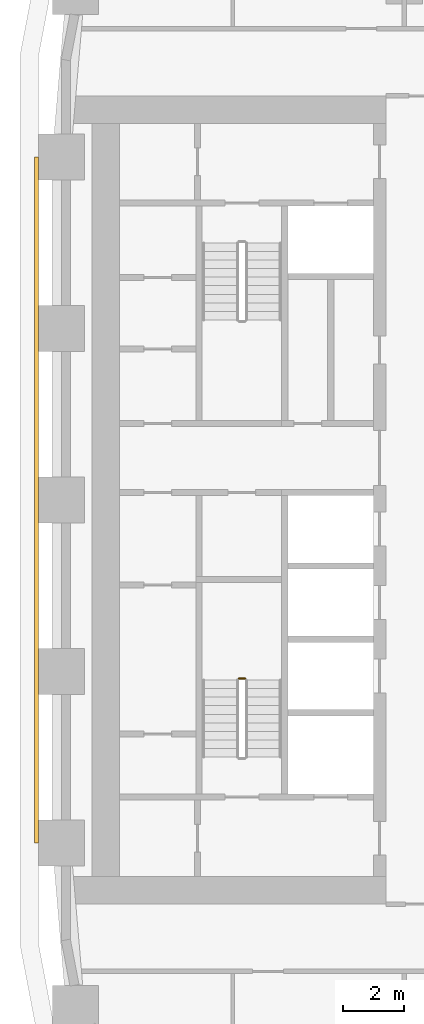
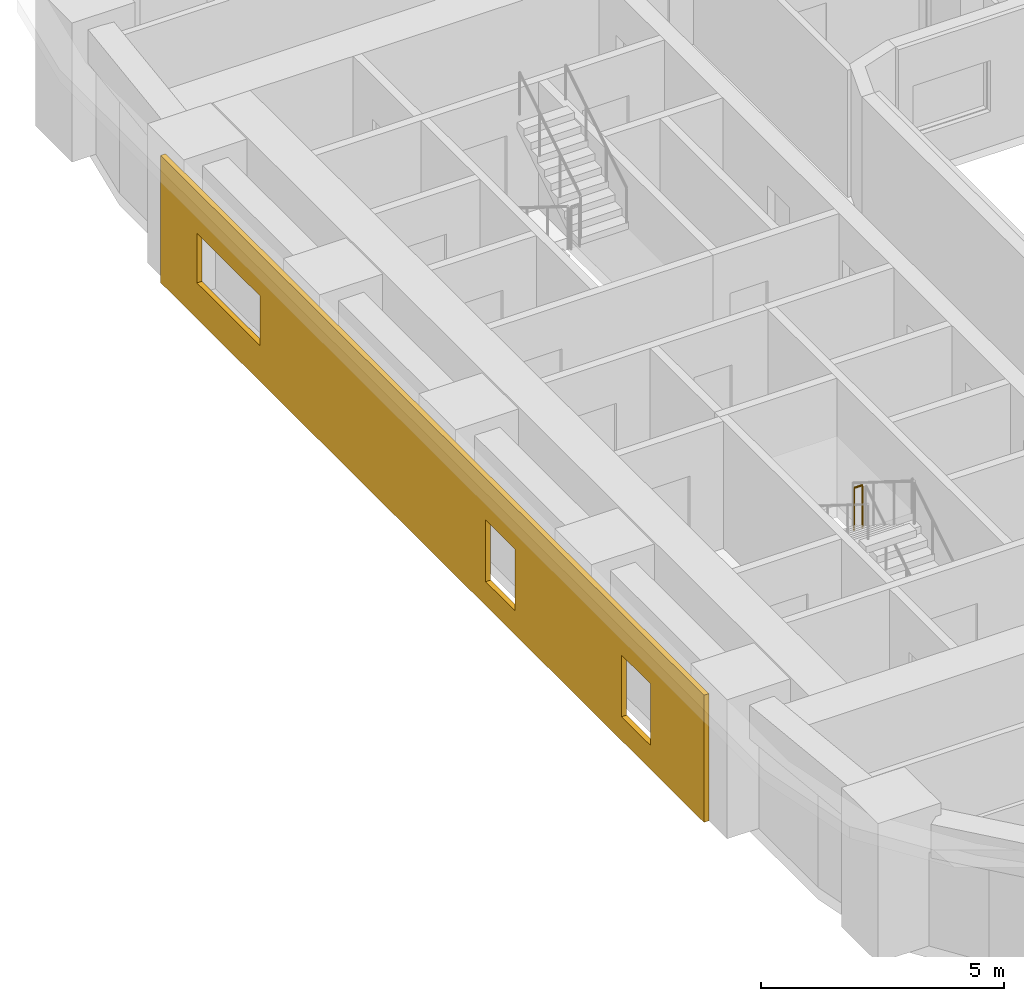
# One storey, part 13 of 21: 1 covering, 1 railing.
"""IFC4 building model written with IfcOpenShell, lengths in metres."""

from ifc_helpers import new_model, si_unit, direction, frame, origin, origin_2d, place, context, subcontext, project, spatial, polyline, circle, outline, extrude, material, layer, layer_set, type_object, element, save


model = new_model("IFC4")

# Units and contexts
model_context = context("Model", 3, precision=1e-05, world=origin(), true_north=direction((0.0, 1.0)))
body_context = subcontext(model_context, "Body", "Model", "MODEL_VIEW")
ifc_project = project(units=[si_unit("LENGTHUNIT", "METRE"), si_unit("AREAUNIT", "SQUARE_METRE"), si_unit("VOLUMEUNIT", "CUBIC_METRE"), si_unit("PLANEANGLEUNIT", "RADIAN"), si_unit("MASSUNIT", "GRAM", prefix="KILO")], contexts=[model_context])

# Site, building, storey
site_placement = place(None, origin())
site = spatial("IfcSite", under=ifc_project, at=site_placement, CompositionType="ELEMENT")
building_placement = place(site_placement, origin())
building = spatial("IfcBuilding", under=site, at=building_placement, Name="Kiln Ring Residences", CompositionType="ELEMENT")
storey_placement = place(building_placement, frame((0.0, 0.0, 41.0)))
storey = spatial("IfcBuildingStorey", under=building, at=storey_placement, Name="L09", CompositionType="ELEMENT", Elevation=41.0)

# Railing
ifc_material_1 = material(Name="Stainless steel", Category="steel")
railing_type = type_object("IfcRailingType", Name="CORE-STAIR-GUARD", PredefinedType="GUARDRAIL", material=ifc_material_1)
railing_placement = place(storey_placement, frame((-22.0, -5.830078125, 1.75)))
element("IfcRailing", 1, at=railing_placement, inside=storey, type_object=railing_type, Name="L09 W-STS stair guard 2", PredefinedType="GUARDRAIL", context=body_context, shape_type="SweptSolid", body=[
    extrude(circle(Radius=0.02392578125, at=origin_2d()), frame((0.0, 0.0, 1.076171875), z_axis=(-1.0, 0.0, 0.0), x_axis=(0.0, -1.0, 0.0)), (0.0, 0.0, 1.0), 0.199951171875),
    extrude(circle(Radius=0.02099609375, at=origin_2d()), origin(), (0.0, 0.0, 1.0), 1.052001953125),
    extrude(circle(Radius=0.02099609375, at=origin_2d()), frame((-0.199951171875, 0.0, 0.0)), (0.0, 0.0, 1.0), 1.052001953125),
])

# Covering
ifc_material_2 = material(Name="Brick masonry, dark clay brick", Category="masonry")
ifc_layer = layer(ifc_material_2, 0.1201171875)
ifc_layer_set = layer_set([ifc_layer], Name="RAINSCREEN PANEL 120")
covering_type = type_object("IfcCoveringType", Name="RAINSCREEN PANEL 120", PredefinedType="CLADDING", material=ifc_layer_set)
covering_placement = place(storey_placement, frame((-28.81005859375, 11.199951171875, 0.0), z_axis=(0.0, 0.0, 1.0), x_axis=(0.0, -1.0, 0.0)))
element("IfcCovering", 2, at=covering_placement, inside=storey, type_object=covering_type, Name="RAINSCREEN L09", PredefinedType="CLADDING", context=body_context, shape_type="SweptSolid", body=[
    extrude(outline(polyline([(0.0, 0.0), (22.39990234375, 0.0), (22.39990234375, 3.199951171875), (0.0, 3.199951171875), (0.0, 0.0)]), holes=[polyline([(14.60009765625, 2.14990234375), (13.39990234375, 2.14990234375), (13.39990234375, 0.60009765625), (14.60009765625, 0.60009765625), (14.60009765625, 2.14990234375)]), polyline([(20.199951171875, 0.60009765625), (20.199951171875, 2.14990234375), (19.0, 2.14990234375), (19.0, 0.60009765625), (20.199951171875, 0.60009765625)]), polyline([(4.10009765625, 0.89990234375), (4.10009765625, 2.14990234375), (1.5, 2.14990234375), (1.5, 0.89990234375), (4.10009765625, 0.89990234375)])]), frame((0.0, 0.06005859375, 0.0), z_axis=(0.0, -1.0, 0.0), x_axis=(1.0, 0.0, 0.0)), (0.0, 0.0, 1.0), 0.1201171875),
])

save(model, "model.ifc")
